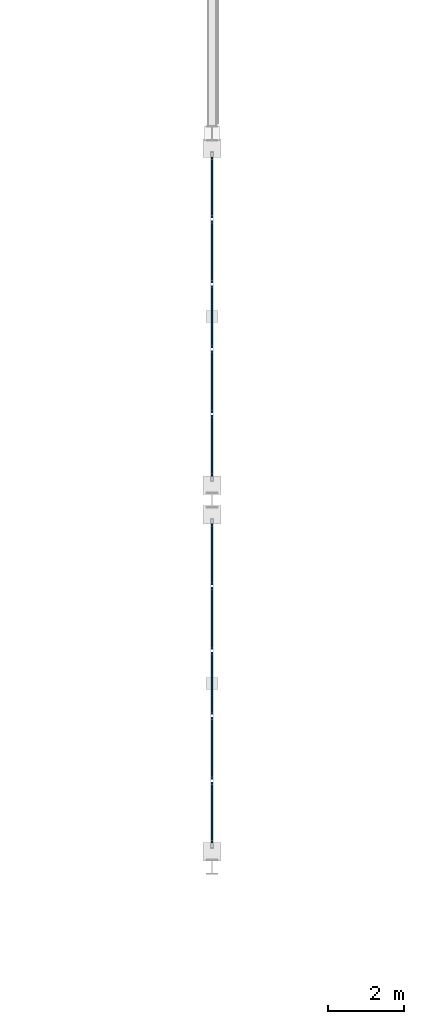
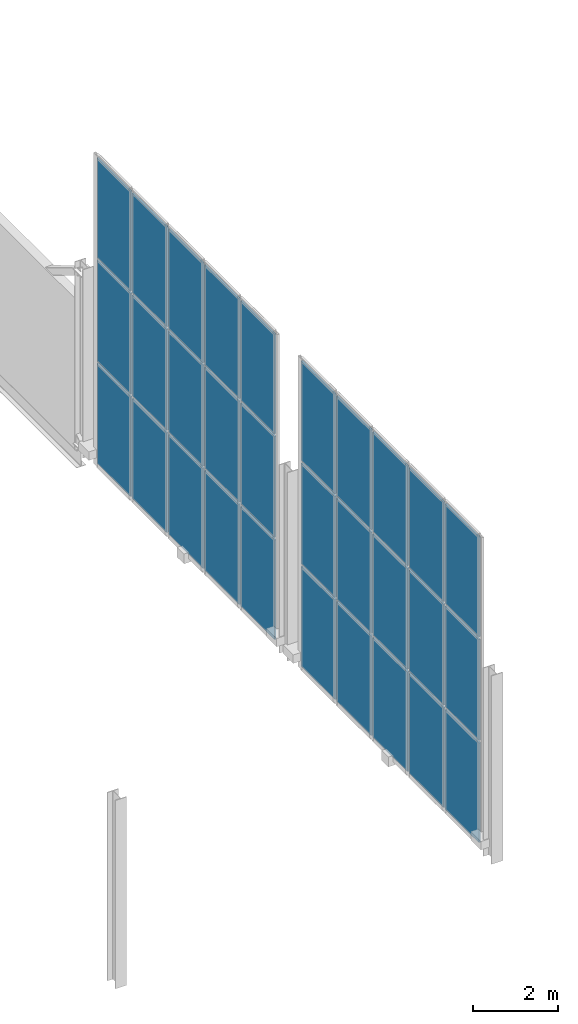
# One storey, part 119 of 175: 30 plates, 2 elements without a shape of their own.
"""IFC4 building model written with IfcOpenShell, lengths in metres."""

from ifc_helpers import new_model, si_unit, direction, frame, origin, origin_2d, place, context, subcontext, project, spatial, rectangle, extrude, material, layer, layer_set, type_object, element, aggregate, save


model = new_model("IFC4")

# Units and contexts
model_context = context("Model", 3, precision=1e-05, world=origin(), true_north=direction((0.0, 1.0)))
body_context = subcontext(model_context, "Body", "Model", "MODEL_VIEW")
ifc_project = project(units=[si_unit("LENGTHUNIT", "METRE"), si_unit("AREAUNIT", "SQUARE_METRE"), si_unit("VOLUMEUNIT", "CUBIC_METRE"), si_unit("PLANEANGLEUNIT", "RADIAN"), si_unit("MASSUNIT", "GRAM", prefix="KILO")], contexts=[model_context])

# Site, building, storey
site_placement = place(None, origin())
site = spatial("IfcSite", under=ifc_project, at=site_placement, CompositionType="ELEMENT")
building_placement = place(site_placement, origin())
building = spatial("IfcBuilding", under=site, at=building_placement, Name="Brelvane Convention Centre", CompositionType="ELEMENT")
storey_placement = place(building_placement, frame((0.0, 0.0, 5.39990234375)))
storey = spatial("IfcBuildingStorey", under=building, at=storey_placement, Name="L01", CompositionType="ELEMENT", Elevation=5.39990234375)

# Curtain wall, plates
ifc_material_1 = material(Name="Anodised Aluminium Alloy 6063-T6", Category="aluminium")
curtain_wall_type = type_object("IfcCurtainWallType", Name="Curtain Wall CW-BALL", PredefinedType="USERDEFINED", material=ifc_material_1)
curtain_wall_1_placement = place(storey_placement, origin())
curtain_wall_1 = element("IfcCurtainWall", 1, at=curtain_wall_1_placement, inside=storey, type_object=curtain_wall_type, Name="Curtain Wall CW-BALL L01-V3E-CW-L01-1", ObjectType="UNITISED", PredefinedType="USERDEFINED")
ifc_material_2 = material(Name="Double Glazed Low-E Laminated Unit")
ifc_layer = layer(ifc_material_2, 0.0439453125)
ifc_layer_set = layer_set([ifc_layer], Name="Double Glazed Low-E Laminated Unit")
plate_type = type_object("IfcPlateType", Name="Curtain Panel CW-PG3", PredefinedType="CURTAIN_PANEL", material=ifc_layer_set)
plate_1_placement = place(storey_placement, frame((224.39990234375, 101.018798828125, 0.070068359375), z_axis=(0.0, 0.0, 1.0), x_axis=(0.0, 1.0, 0.0)))
plate_1 = element("IfcPlate", 2, at=plate_1_placement, type_object=plate_type, Name="CW-BALL panel 1.1", PredefinedType="CURTAIN_PANEL", context=body_context, shape_type="SweptSolid", body=[
    extrude(rectangle(XDim=1.58740234375, YDim=0.0439453125, at=origin_2d()), origin(), (0.0, 0.0, 1.0), 2.86181640625),
])
plate_2_placement = place(storey_placement, frame((224.39990234375, 101.018798828125, 3.001953125), z_axis=(0.0, 0.0, 1.0), x_axis=(0.0, 1.0, 0.0)))
plate_2 = element("IfcPlate", 3, at=plate_2_placement, type_object=plate_type, Name="CW-BALL panel 1.2", PredefinedType="CURTAIN_PANEL", context=body_context, shape_type="SweptSolid", body=[
    extrude(rectangle(XDim=1.58740234375, YDim=0.0439453125, at=origin_2d()), origin(), (0.0, 0.0, 1.0), 2.896484375),
])
plate_3_placement = place(storey_placement, frame((224.39990234375, 101.018798828125, 5.96826171875), z_axis=(0.0, 0.0, 1.0), x_axis=(0.0, 1.0, 0.0)))
plate_3 = element("IfcPlate", 4, at=plate_3_placement, type_object=plate_type, Name="CW-BALL panel 1.3", PredefinedType="CURTAIN_PANEL", context=body_context, shape_type="SweptSolid", body=[
    extrude(rectangle(XDim=1.58740234375, YDim=0.0439453125, at=origin_2d()), origin(), (0.0, 0.0, 1.0), 2.86181640625),
])
plate_4_placement = place(storey_placement, frame((224.39990234375, 102.699951171875, 0.070068359375), z_axis=(0.0, 0.0, 1.0), x_axis=(0.0, 1.0, 0.0)))
plate_4 = element("IfcPlate", 5, at=plate_4_placement, type_object=plate_type, Name="CW-BALL panel 2.1", PredefinedType="CURTAIN_PANEL", context=body_context, shape_type="SweptSolid", body=[
    extrude(rectangle(XDim=1.625, YDim=0.0439453125, at=origin_2d()), origin(), (0.0, 0.0, 1.0), 2.86181640625),
])
plate_5_placement = place(storey_placement, frame((224.39990234375, 102.699951171875, 3.001953125), z_axis=(0.0, 0.0, 1.0), x_axis=(0.0, 1.0, 0.0)))
plate_5 = element("IfcPlate", 6, at=plate_5_placement, type_object=plate_type, Name="CW-BALL panel 2.2", PredefinedType="CURTAIN_PANEL", context=body_context, shape_type="SweptSolid", body=[
    extrude(rectangle(XDim=1.625, YDim=0.0439453125, at=origin_2d()), origin(), (0.0, 0.0, 1.0), 2.896484375),
])
plate_6_placement = place(storey_placement, frame((224.39990234375, 102.699951171875, 5.96826171875), z_axis=(0.0, 0.0, 1.0), x_axis=(0.0, 1.0, 0.0)))
plate_6 = element("IfcPlate", 7, at=plate_6_placement, type_object=plate_type, Name="CW-BALL panel 2.3", PredefinedType="CURTAIN_PANEL", context=body_context, shape_type="SweptSolid", body=[
    extrude(rectangle(XDim=1.625, YDim=0.0439453125, at=origin_2d()), origin(), (0.0, 0.0, 1.0), 2.86181640625),
])
plate_7_placement = place(storey_placement, frame((224.39990234375, 104.39990234375, 0.070068359375), z_axis=(0.0, 0.0, 1.0), x_axis=(0.0, 1.0, 0.0)))
plate_7 = element("IfcPlate", 8, at=plate_7_placement, type_object=plate_type, Name="CW-BALL panel 3.1", PredefinedType="CURTAIN_PANEL", context=body_context, shape_type="SweptSolid", body=[
    extrude(rectangle(XDim=1.625, YDim=0.0439453125, at=origin_2d()), origin(), (0.0, 0.0, 1.0), 2.86181640625),
])
plate_8_placement = place(storey_placement, frame((224.39990234375, 104.39990234375, 3.001953125), z_axis=(0.0, 0.0, 1.0), x_axis=(0.0, 1.0, 0.0)))
plate_8 = element("IfcPlate", 9, at=plate_8_placement, type_object=plate_type, Name="CW-BALL panel 3.2", PredefinedType="CURTAIN_PANEL", context=body_context, shape_type="SweptSolid", body=[
    extrude(rectangle(XDim=1.625, YDim=0.0439453125, at=origin_2d()), origin(), (0.0, 0.0, 1.0), 2.896484375),
])
plate_9_placement = place(storey_placement, frame((224.39990234375, 104.39990234375, 5.96826171875), z_axis=(0.0, 0.0, 1.0), x_axis=(0.0, 1.0, 0.0)))
plate_9 = element("IfcPlate", 10, at=plate_9_placement, type_object=plate_type, Name="CW-BALL panel 3.3", PredefinedType="CURTAIN_PANEL", context=body_context, shape_type="SweptSolid", body=[
    extrude(rectangle(XDim=1.625, YDim=0.0439453125, at=origin_2d()), origin(), (0.0, 0.0, 1.0), 2.86181640625),
])
plate_10_placement = place(storey_placement, frame((224.39990234375, 106.10009765625, 0.070068359375), z_axis=(0.0, 0.0, 1.0), x_axis=(0.0, 1.0, 0.0)))
plate_10 = element("IfcPlate", 11, at=plate_10_placement, type_object=plate_type, Name="CW-BALL panel 4.1", PredefinedType="CURTAIN_PANEL", context=body_context, shape_type="SweptSolid", body=[
    extrude(rectangle(XDim=1.625, YDim=0.0439453125, at=origin_2d()), origin(), (0.0, 0.0, 1.0), 2.86181640625),
])
plate_11_placement = place(storey_placement, frame((224.39990234375, 106.10009765625, 3.001953125), z_axis=(0.0, 0.0, 1.0), x_axis=(0.0, 1.0, 0.0)))
plate_11 = element("IfcPlate", 12, at=plate_11_placement, type_object=plate_type, Name="CW-BALL panel 4.2", PredefinedType="CURTAIN_PANEL", context=body_context, shape_type="SweptSolid", body=[
    extrude(rectangle(XDim=1.625, YDim=0.0439453125, at=origin_2d()), origin(), (0.0, 0.0, 1.0), 2.896484375),
])
plate_12_placement = place(storey_placement, frame((224.39990234375, 106.10009765625, 5.96826171875), z_axis=(0.0, 0.0, 1.0), x_axis=(0.0, 1.0, 0.0)))
plate_12 = element("IfcPlate", 13, at=plate_12_placement, type_object=plate_type, Name="CW-BALL panel 4.3", PredefinedType="CURTAIN_PANEL", context=body_context, shape_type="SweptSolid", body=[
    extrude(rectangle(XDim=1.625, YDim=0.0439453125, at=origin_2d()), origin(), (0.0, 0.0, 1.0), 2.86181640625),
])
plate_13_placement = place(storey_placement, frame((224.39990234375, 107.78125, 0.070068359375), z_axis=(0.0, 0.0, 1.0), x_axis=(0.0, 1.0, 0.0)))
plate_13 = element("IfcPlate", 14, at=plate_13_placement, type_object=plate_type, Name="CW-BALL panel 5.1", PredefinedType="CURTAIN_PANEL", context=body_context, shape_type="SweptSolid", body=[
    extrude(rectangle(XDim=1.58740234375, YDim=0.0439453125, at=origin_2d()), origin(), (0.0, 0.0, 1.0), 2.86181640625),
])
plate_14_placement = place(storey_placement, frame((224.39990234375, 107.78125, 3.001953125), z_axis=(0.0, 0.0, 1.0), x_axis=(0.0, 1.0, 0.0)))
plate_14 = element("IfcPlate", 15, at=plate_14_placement, type_object=plate_type, Name="CW-BALL panel 5.2", PredefinedType="CURTAIN_PANEL", context=body_context, shape_type="SweptSolid", body=[
    extrude(rectangle(XDim=1.58740234375, YDim=0.0439453125, at=origin_2d()), origin(), (0.0, 0.0, 1.0), 2.896484375),
])
plate_15_placement = place(storey_placement, frame((224.39990234375, 107.78125, 5.96826171875), z_axis=(0.0, 0.0, 1.0), x_axis=(0.0, 1.0, 0.0)))
plate_15 = element("IfcPlate", 16, at=plate_15_placement, type_object=plate_type, Name="CW-BALL panel 5.3", PredefinedType="CURTAIN_PANEL", context=body_context, shape_type="SweptSolid", body=[
    extrude(rectangle(XDim=1.58740234375, YDim=0.0439453125, at=origin_2d()), origin(), (0.0, 0.0, 1.0), 2.86181640625),
])
aggregate(curtain_wall_1, [plate_1, plate_2, plate_3, plate_4, plate_5, plate_6, plate_7, plate_8, plate_9, plate_10, plate_11, plate_12, plate_13, plate_14, plate_15])

curtain_wall_2_placement = place(storey_placement, origin())
curtain_wall_2 = element("IfcCurtainWall", 17, at=curtain_wall_2_placement, inside=storey, type_object=curtain_wall_type, Name="Curtain Wall CW-BALL L01-V3E-CW-L01-2", ObjectType="UNITISED", PredefinedType="USERDEFINED")
plate_16_placement = place(storey_placement, frame((224.39990234375, 110.61865234375, 0.070068359375), z_axis=(0.0, 0.0, 1.0), x_axis=(0.0, 1.0, 0.0)))
plate_16 = element("IfcPlate", 18, at=plate_16_placement, type_object=plate_type, Name="CW-BALL panel 1.1", PredefinedType="CURTAIN_PANEL", context=body_context, shape_type="SweptSolid", body=[
    extrude(rectangle(XDim=1.58740234375, YDim=0.0439453125, at=origin_2d()), origin(), (0.0, 0.0, 1.0), 2.86181640625),
])
plate_17_placement = place(storey_placement, frame((224.39990234375, 110.61865234375, 3.001953125), z_axis=(0.0, 0.0, 1.0), x_axis=(0.0, 1.0, 0.0)))
plate_17 = element("IfcPlate", 19, at=plate_17_placement, type_object=plate_type, Name="CW-BALL panel 1.2", PredefinedType="CURTAIN_PANEL", context=body_context, shape_type="SweptSolid", body=[
    extrude(rectangle(XDim=1.58740234375, YDim=0.0439453125, at=origin_2d()), origin(), (0.0, 0.0, 1.0), 2.896484375),
])
plate_18_placement = place(storey_placement, frame((224.39990234375, 110.61865234375, 5.96826171875), z_axis=(0.0, 0.0, 1.0), x_axis=(0.0, 1.0, 0.0)))
plate_18 = element("IfcPlate", 20, at=plate_18_placement, type_object=plate_type, Name="CW-BALL panel 1.3", PredefinedType="CURTAIN_PANEL", context=body_context, shape_type="SweptSolid", body=[
    extrude(rectangle(XDim=1.58740234375, YDim=0.0439453125, at=origin_2d()), origin(), (0.0, 0.0, 1.0), 2.86181640625),
])
plate_19_placement = place(storey_placement, frame((224.39990234375, 112.300048828125, 0.070068359375), z_axis=(0.0, 0.0, 1.0), x_axis=(0.0, 1.0, 0.0)))
plate_19 = element("IfcPlate", 21, at=plate_19_placement, type_object=plate_type, Name="CW-BALL panel 2.1", PredefinedType="CURTAIN_PANEL", context=body_context, shape_type="SweptSolid", body=[
    extrude(rectangle(XDim=1.625, YDim=0.0439453125, at=origin_2d()), origin(), (0.0, 0.0, 1.0), 2.86181640625),
])
plate_20_placement = place(storey_placement, frame((224.39990234375, 112.300048828125, 3.001953125), z_axis=(0.0, 0.0, 1.0), x_axis=(0.0, 1.0, 0.0)))
plate_20 = element("IfcPlate", 22, at=plate_20_placement, type_object=plate_type, Name="CW-BALL panel 2.2", PredefinedType="CURTAIN_PANEL", context=body_context, shape_type="SweptSolid", body=[
    extrude(rectangle(XDim=1.625, YDim=0.0439453125, at=origin_2d()), origin(), (0.0, 0.0, 1.0), 2.896484375),
])
plate_21_placement = place(storey_placement, frame((224.39990234375, 112.300048828125, 5.96826171875), z_axis=(0.0, 0.0, 1.0), x_axis=(0.0, 1.0, 0.0)))
plate_21 = element("IfcPlate", 23, at=plate_21_placement, type_object=plate_type, Name="CW-BALL panel 2.3", PredefinedType="CURTAIN_PANEL", context=body_context, shape_type="SweptSolid", body=[
    extrude(rectangle(XDim=1.625, YDim=0.0439453125, at=origin_2d()), origin(), (0.0, 0.0, 1.0), 2.86181640625),
])
plate_22_placement = place(storey_placement, frame((224.39990234375, 114.0, 0.070068359375), z_axis=(0.0, 0.0, 1.0), x_axis=(0.0, 1.0, 0.0)))
plate_22 = element("IfcPlate", 24, at=plate_22_placement, type_object=plate_type, Name="CW-BALL panel 3.1", PredefinedType="CURTAIN_PANEL", context=body_context, shape_type="SweptSolid", body=[
    extrude(rectangle(XDim=1.625, YDim=0.0439453125, at=origin_2d()), origin(), (0.0, 0.0, 1.0), 2.86181640625),
])
plate_23_placement = place(storey_placement, frame((224.39990234375, 114.0, 3.001953125), z_axis=(0.0, 0.0, 1.0), x_axis=(0.0, 1.0, 0.0)))
plate_23 = element("IfcPlate", 25, at=plate_23_placement, type_object=plate_type, Name="CW-BALL panel 3.2", PredefinedType="CURTAIN_PANEL", context=body_context, shape_type="SweptSolid", body=[
    extrude(rectangle(XDim=1.625, YDim=0.0439453125, at=origin_2d()), origin(), (0.0, 0.0, 1.0), 2.896484375),
])
plate_24_placement = place(storey_placement, frame((224.39990234375, 114.0, 5.96826171875), z_axis=(0.0, 0.0, 1.0), x_axis=(0.0, 1.0, 0.0)))
plate_24 = element("IfcPlate", 26, at=plate_24_placement, type_object=plate_type, Name="CW-BALL panel 3.3", PredefinedType="CURTAIN_PANEL", context=body_context, shape_type="SweptSolid", body=[
    extrude(rectangle(XDim=1.625, YDim=0.0439453125, at=origin_2d()), origin(), (0.0, 0.0, 1.0), 2.86181640625),
])
plate_25_placement = place(storey_placement, frame((224.39990234375, 115.699951171875, 0.070068359375), z_axis=(0.0, 0.0, 1.0), x_axis=(0.0, 1.0, 0.0)))
plate_25 = element("IfcPlate", 27, at=plate_25_placement, type_object=plate_type, Name="CW-BALL panel 4.1", PredefinedType="CURTAIN_PANEL", context=body_context, shape_type="SweptSolid", body=[
    extrude(rectangle(XDim=1.625, YDim=0.0439453125, at=origin_2d()), origin(), (0.0, 0.0, 1.0), 2.86181640625),
])
plate_26_placement = place(storey_placement, frame((224.39990234375, 115.699951171875, 3.001953125), z_axis=(0.0, 0.0, 1.0), x_axis=(0.0, 1.0, 0.0)))
plate_26 = element("IfcPlate", 28, at=plate_26_placement, type_object=plate_type, Name="CW-BALL panel 4.2", PredefinedType="CURTAIN_PANEL", context=body_context, shape_type="SweptSolid", body=[
    extrude(rectangle(XDim=1.625, YDim=0.0439453125, at=origin_2d()), origin(), (0.0, 0.0, 1.0), 2.896484375),
])
plate_27_placement = place(storey_placement, frame((224.39990234375, 115.699951171875, 5.96826171875), z_axis=(0.0, 0.0, 1.0), x_axis=(0.0, 1.0, 0.0)))
plate_27 = element("IfcPlate", 29, at=plate_27_placement, type_object=plate_type, Name="CW-BALL panel 4.3", PredefinedType="CURTAIN_PANEL", context=body_context, shape_type="SweptSolid", body=[
    extrude(rectangle(XDim=1.625, YDim=0.0439453125, at=origin_2d()), origin(), (0.0, 0.0, 1.0), 2.86181640625),
])
plate_28_placement = place(storey_placement, frame((224.39990234375, 117.38134765625, 0.070068359375), z_axis=(0.0, 0.0, 1.0), x_axis=(0.0, 1.0, 0.0)))
plate_28 = element("IfcPlate", 30, at=plate_28_placement, type_object=plate_type, Name="CW-BALL panel 5.1", PredefinedType="CURTAIN_PANEL", context=body_context, shape_type="SweptSolid", body=[
    extrude(rectangle(XDim=1.58740234375, YDim=0.0439453125, at=origin_2d()), origin(), (0.0, 0.0, 1.0), 2.86181640625),
])
plate_29_placement = place(storey_placement, frame((224.39990234375, 117.38134765625, 3.001953125), z_axis=(0.0, 0.0, 1.0), x_axis=(0.0, 1.0, 0.0)))
plate_29 = element("IfcPlate", 31, at=plate_29_placement, type_object=plate_type, Name="CW-BALL panel 5.2", PredefinedType="CURTAIN_PANEL", context=body_context, shape_type="SweptSolid", body=[
    extrude(rectangle(XDim=1.58740234375, YDim=0.0439453125, at=origin_2d()), origin(), (0.0, 0.0, 1.0), 2.896484375),
])
plate_30_placement = place(storey_placement, frame((224.39990234375, 117.38134765625, 5.96826171875), z_axis=(0.0, 0.0, 1.0), x_axis=(0.0, 1.0, 0.0)))
plate_30 = element("IfcPlate", 32, at=plate_30_placement, type_object=plate_type, Name="CW-BALL panel 5.3", PredefinedType="CURTAIN_PANEL", context=body_context, shape_type="SweptSolid", body=[
    extrude(rectangle(XDim=1.58740234375, YDim=0.0439453125, at=origin_2d()), origin(), (0.0, 0.0, 1.0), 2.86181640625),
])
aggregate(curtain_wall_2, [plate_16, plate_17, plate_18, plate_19, plate_20, plate_21, plate_22, plate_23, plate_24, plate_25, plate_26, plate_27, plate_28, plate_29, plate_30])

save(model, "model.ifc")
